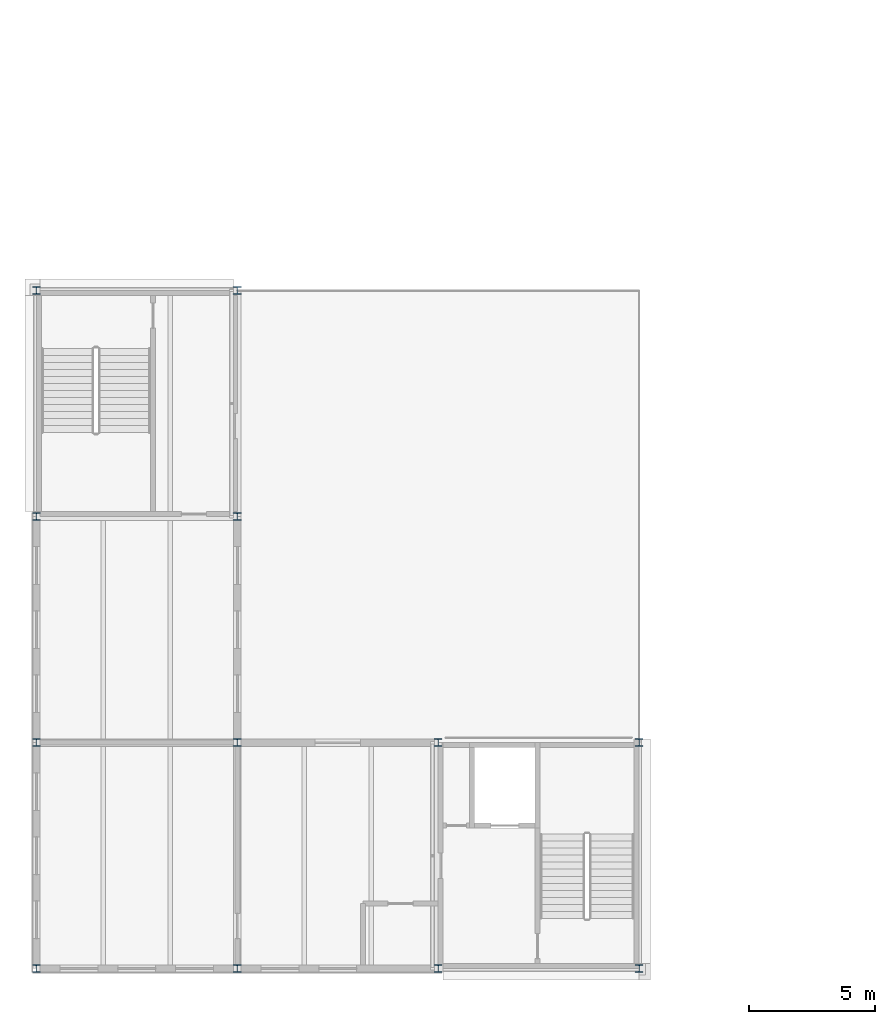
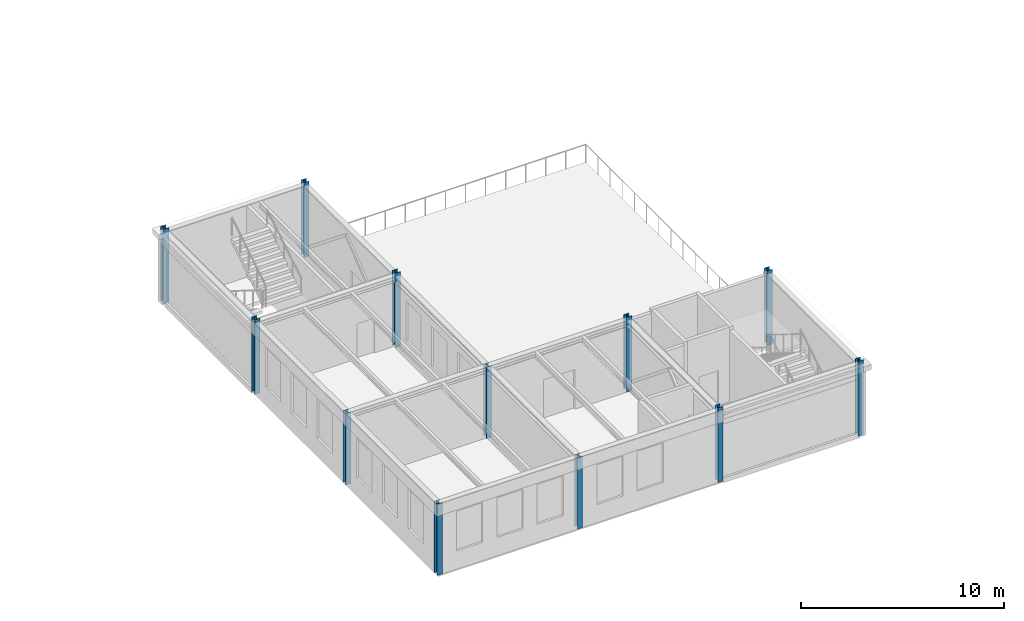
# One storey, part 1 of 149: 12 columns.
"""IFC4 building model written with IfcOpenShell, lengths in metres."""

import ifcopenshell
import ifcopenshell.guid

model = None  # the IFC model being written
_history = None  # IfcOwnerHistory: only IFC2X3 demands one
_inside = {}  # id of a spatial element -> (the spatial element, [elements in it])
_under = {}  # id of a project, library or spatial element -> (it, [spatial elements below it])
_declared = {}  # id of a project -> (the project, [libraries it declares])
_typed = {}  # id of a type object -> (the type object, [elements of that type])
_made_of = {}  # id of a material, layer set ... -> (it, [elements and type objects made of it])


def new_model(schema):
    """Start an empty IFC model of exactly this schema.

    Asked for "IFC4X3", IfcOpenShell would pick the latest addendum, in which some entities
    have other attributes; the version numbers below select the first issue.
    IFC2X3 requires an IfcOwnerHistory on every rooted entity: one is made here for all.
    """
    global model, _history
    if schema == "IFC4X3":
        model = ifcopenshell.file(schema_version=(4, 3, 0, 0))
    else:
        model = ifcopenshell.file(schema=schema)
    _inside.clear()
    _under.clear()
    _declared.clear()
    _typed.clear()
    _made_of.clear()
    _history = None
    if model.schema == "IFC2X3":
        org = make("IfcOrganization", Name="unknown")
        user = make(
            "IfcPersonAndOrganization",
            ThePerson=make("IfcPerson", FamilyName="unknown"),
            TheOrganization=org,
        )
        app = make(
            "IfcApplication",
            ApplicationDeveloper=org,
            Version="unknown",
            ApplicationFullName="unknown",
            ApplicationIdentifier="unknown",
        )
        _history = make(
            "IfcOwnerHistory",
            OwningUser=user,
            OwningApplication=app,
            ChangeAction="ADDED",
            CreationDate=0,
        )
    return model


def make(cls, **values):
    """One entity of the class cls with the attributes given. An attribute that is None is left unset."""
    return model.create_entity(
        cls, **{name: value for name, value in values.items() if value is not None}
    )


def rooted(cls, **values):
    """An entity with a GlobalId (a new one), such as an element, a storey or a relation."""
    return make(cls, GlobalId=ifcopenshell.guid.new(), OwnerHistory=_history, **values)


def si_unit(unit_type, name, prefix=None):
    """IfcSIUnit, for example si_unit("LENGTHUNIT", "METRE", prefix="MILLI")."""
    return make("IfcSIUnit", UnitType=unit_type, Prefix=prefix, Name=name)


def assignment(units):
    """IfcUnitAssignment: the units of a project."""
    return None if units is None else make("IfcUnitAssignment", Units=units)


def point(xyz):
    """IfcCartesianPoint."""
    return None if xyz is None else make("IfcCartesianPoint", Coordinates=xyz)


def direction(xyz):
    """IfcDirection."""
    return None if xyz is None else make("IfcDirection", DirectionRatios=xyz)


def frame(location, z_axis=None, x_axis=None):
    """IfcAxis2Placement3D, a coordinate frame: its origin and axes. An axis left out is left unset."""
    return make(
        "IfcAxis2Placement3D",
        Location=point(location),
        Axis=direction(z_axis),
        RefDirection=direction(x_axis),
    )


def frame_2d(location, x_axis=None):
    """IfcAxis2Placement2D, a coordinate frame in the plane: its origin and x axis."""
    return make(
        "IfcAxis2Placement2D", Location=point(location), RefDirection=direction(x_axis)
    )


def origin():
    """The frame at (0, 0, 0) with its axes left unset."""
    return frame((0.0, 0.0, 0.0))


def origin_2d():
    """The frame at (0, 0) in the plane with its x axis left unset."""
    return frame_2d((0.0, 0.0))


def place(relative_to, where):
    """IfcLocalPlacement: puts the frame where relative to a parent placement (None: the world)."""
    return make(
        "IfcLocalPlacement", PlacementRelTo=relative_to, RelativePlacement=where
    )


def context(
    kind, dimensions, precision=None, world=None, true_north=None, identifier=None
):
    """IfcGeometricRepresentationContext, for example the 3D "Model" context."""
    return make(
        "IfcGeometricRepresentationContext",
        ContextIdentifier=identifier,
        ContextType=kind,
        CoordinateSpaceDimension=dimensions,
        Precision=precision,
        WorldCoordinateSystem=world,
        TrueNorth=true_north,
    )


def subcontext(parent, identifier, kind, view, scale=None):
    """IfcGeometricRepresentationSubContext, for example "Body" below "Model"."""
    return make(
        "IfcGeometricRepresentationSubContext",
        ContextIdentifier=identifier,
        ContextType=kind,
        ParentContext=parent,
        TargetScale=scale,
        TargetView=view,
    )


def project(units=None, contexts=None):
    """IfcProject with its units and contexts."""
    return rooted(
        "IfcProject",
        Name="project",
        RepresentationContexts=contexts,
        UnitsInContext=assignment(units),
    )


def spatial(cls, under=None, at=None, **own):
    """A site, building, storey or space (cls), placed at a placement, below another one or the project."""
    s = rooted(cls, ObjectPlacement=at, **own)
    if under is not None:
        _under.setdefault(under.id(), (under, []))[1].append(s)
    return s


def profile(cls, at=None, kind="AREA", **sizes):
    """A parametric profile (cls). Its sizes go by their IFC names, for example OverallWidth=200.0."""
    return make(cls, ProfileType=kind, Position=at, **sizes)


def i_section(**sizes):
    """IfcIShapeProfileDef."""
    return profile("IfcIShapeProfileDef", **sizes)


def extrude(swept, where, along, depth):
    """IfcExtrudedAreaSolid: the profile swept, set in the frame where, extruded along a direction by depth."""
    return make(
        "IfcExtrudedAreaSolid",
        SweptArea=swept,
        Position=where,
        ExtrudedDirection=direction(along),
        Depth=depth,
    )


def shape(context_of_items, identifier, shape_type, items):
    """IfcShapeRepresentation: the items that make up one representation, for example the "Body"."""
    return make(
        "IfcShapeRepresentation",
        ContextOfItems=context_of_items,
        RepresentationIdentifier=identifier,
        RepresentationType=shape_type,
        Items=items,
    )


def material(Name=None, Category=None):
    """IfcMaterial."""
    return make("IfcMaterial", Name=Name, Category=Category)


def material_profile(
    of_material, cross_section, Name=None, Category=None, Priority=None
):
    """IfcMaterialProfile: a cross section and its material."""
    return make(
        "IfcMaterialProfile",
        Name=Name,
        Material=of_material,
        Profile=cross_section,
        Priority=Priority,
        Category=Category,
    )


def profile_set(profiles, Name=None, composite=None):
    """IfcMaterialProfileSet."""
    return make(
        "IfcMaterialProfileSet",
        Name=Name,
        MaterialProfiles=profiles,
        CompositeProfile=composite,
    )


def made_of(thing, what):
    """Note that an element or type object is made of a material, layer set ...; save() writes the relation."""
    if what is not None:
        _made_of.setdefault(what.id(), (what, []))[1].append(thing)
    return thing


def type_object(cls, material=None, **own):
    """A type object (cls), such as IfcWallType, which elements share."""
    return made_of(rooted(cls, **own), material)


def element(
    cls,
    number,
    at=None,
    inside=None,
    cuts=None,
    type_object=None,
    material=None,
    context=None,
    identifier="Body",
    shape_type=None,
    held_by="IfcProductDefinitionShape",
    body=None,
    shapes=None,
    **own,
):
    """One element of the class cls, such as IfcWall. Its Tag is "e" and its number.

    at: its placement. inside: the storey or other place that contains it. cuts: it is an
    opening in that element (IfcRelVoidsElement). A single representation is given by context,
    identifier, shape_type and body (its items); several are given by shapes. held_by: the class
    of the entity that holds the representations. save() writes the other relations.
    """
    e = rooted(cls, Tag="e%d" % number, ObjectPlacement=at, **own)
    if body is not None:
        shapes = [shape(context, identifier, shape_type, body)]
    if shapes is not None:
        e.Representation = make(held_by, Representations=shapes)
    if inside is not None:
        _inside.setdefault(inside.id(), (inside, []))[1].append(e)
    if cuts is not None:
        rooted(
            "IfcRelVoidsElement", RelatingBuildingElement=cuts, RelatedOpeningElement=e
        )
    if type_object is not None:
        _typed.setdefault(type_object.id(), (type_object, []))[1].append(e)
    return made_of(e, material)


def aggregate(whole, parts):
    """IfcRelAggregates: a whole, such as a stair, and the parts it consists of."""
    return rooted("IfcRelAggregates", RelatingObject=whole, RelatedObjects=parts)


def save(model, path):
    """Write the relations noted so far, then the file.

    IfcRelAggregates (storeys below a building ...), IfcRelContainedInSpatialStructure (elements
    in a storey), IfcRelDefinesByType, IfcRelAssociatesMaterial and IfcRelDeclares: one each for
    every whole, place, type object, material and project.
    """
    for whole, parts in _under.values():
        aggregate(whole, parts)
    for where, things in _inside.values():
        rooted(
            "IfcRelContainedInSpatialStructure",
            RelatedElements=things,
            RelatingStructure=where,
        )
    for kind, things in _typed.values():
        rooted("IfcRelDefinesByType", RelatedObjects=things, RelatingType=kind)
    for what, things in _made_of.values():
        rooted("IfcRelAssociatesMaterial", RelatedObjects=things, RelatingMaterial=what)
    for by, libraries in _declared.values():
        rooted("IfcRelDeclares", RelatingContext=by, RelatedDefinitions=libraries)
    model.write(path)


model = new_model("IFC4")

# Units and contexts
model_context = context("Model", 3, precision=1e-05, world=origin(), true_north=direction((0.0, 1.0)))
body_context = subcontext(model_context, "Body", "Model", "MODEL_VIEW")
ifc_project = project(units=[si_unit("LENGTHUNIT", "METRE"), si_unit("AREAUNIT", "SQUARE_METRE"), si_unit("VOLUMEUNIT", "CUBIC_METRE"), si_unit("PLANEANGLEUNIT", "RADIAN"), si_unit("MASSUNIT", "GRAM", prefix="KILO")], contexts=[model_context])

# Site, building, storey
site_placement = place(None, origin())
site = spatial("IfcSite", under=ifc_project, at=site_placement, CompositionType="ELEMENT")
building_placement = place(site_placement, origin())
building = spatial("IfcBuilding", under=site, at=building_placement, Name="Kallimachos Central Library", CompositionType="ELEMENT")
storey_placement = place(building_placement, frame((0.0, 0.0, 9.89990234375)))
storey = spatial("IfcBuildingStorey", under=building, at=storey_placement, Name="L02", CompositionType="ELEMENT", Elevation=9.89990234375)

# Columns
ifc_material = material(Name="Steel S355J2", Category="steel")
ifc_material_profile = material_profile(ifc_material, i_section(OverallWidth=0.300048828125, OverallDepth=0.300048828125, WebThickness=0.010986328125, FlangeThickness=0.01904296875, FilletRadius=0.027099609375, at=origin_2d()), Name="HEB 300")
ifc_profile_set = profile_set([ifc_material_profile], Name="Steel S355J2")
column_type = type_object("IfcColumnType", Name="HEB 300 column", PredefinedType="COLUMN", material=ifc_profile_set)
for number, where, z_axis, x_axis, name in (
    (1, (6.0, 9.0, 0.0), (0.0, 0.0, 1.0), (1.0, 0.0, 0.0), "V6-COL-L02-001"),
    (2, (6.0, 18.0, 0.0), (0.0, 0.0, 1.0), (1.0, 0.0, 0.0), "V6-COL-L02-002"),
):
    element("IfcColumn", number, at=place(storey_placement, frame(where, z_axis=z_axis, x_axis=x_axis)), inside=storey, type_object=column_type, Name=name, PredefinedType="COLUMN", context=body_context, shape_type="SweptSolid", body=[
        extrude(i_section(OverallWidth=0.300048828125, OverallDepth=0.300048828125, WebThickness=0.010986328125, FlangeThickness=0.01904296875, FilletRadius=0.027099609375, at=origin_2d()), origin(), (0.0, 0.0, 1.0), 4.300048828125),
    ])
for number, where, z_axis, x_axis, name in (
    (3, (6.0, 27.0, 0.0), (0.0, 0.0, 1.0), (1.0, 0.0, 0.0), "V6-COL-L02-003"),
    (4, (6.0, 36.0, 0.0), (0.0, 0.0, 1.0), (1.0, 0.0, 0.0), "V6-COL-L02-004"),
):
    element("IfcColumn", number, at=place(storey_placement, frame(where, z_axis=z_axis, x_axis=x_axis)), inside=storey, type_object=column_type, Name=name, PredefinedType="COLUMN", context=body_context, shape_type="SweptSolid", body=[
        extrude(i_section(OverallWidth=0.300048828125, OverallDepth=0.300048828125, WebThickness=0.010986328125, FlangeThickness=0.01904296875, FilletRadius=0.027099609375, at=origin_2d()), origin(), (0.0, 0.0, 1.0), 4.5),
    ])
for number, where, z_axis, x_axis, name in (
    (5, (14.0, 9.0, 0.0), (0.0, 0.0, 1.0), (1.0, 0.0, 0.0), "V6-COL-L02-005"),
    (6, (14.0, 18.0, 0.0), (0.0, 0.0, 1.0), (1.0, 0.0, 0.0), "V6-COL-L02-006"),
):
    element("IfcColumn", number, at=place(storey_placement, frame(where, z_axis=z_axis, x_axis=x_axis)), inside=storey, type_object=column_type, Name=name, PredefinedType="COLUMN", context=body_context, shape_type="SweptSolid", body=[
        extrude(i_section(OverallWidth=0.300048828125, OverallDepth=0.300048828125, WebThickness=0.010986328125, FlangeThickness=0.01904296875, FilletRadius=0.027099609375, at=origin_2d()), origin(), (0.0, 0.0, 1.0), 4.300048828125),
    ])
for number, where, z_axis, x_axis, name in (
    (7, (14.0, 27.0, 0.0), (0.0, 0.0, 1.0), (1.0, 0.0, 0.0), "V6-COL-L02-007"),
    (8, (14.0, 36.0, 0.0), (0.0, 0.0, 1.0), (1.0, 0.0, 0.0), "V6-COL-L02-008"),
    (9, (22.0, 9.0, 0.0), (0.0, 0.0, 1.0), (1.0, 0.0, 0.0), "V6-COL-L02-009"),
    (10, (22.0, 18.0, 0.0), (0.0, 0.0, 1.0), (1.0, 0.0, 0.0), "V6-COL-L02-010"),
    (11, (30.0, 9.0, 0.0), (0.0, 0.0, 1.0), (1.0, 0.0, 0.0), "V6-COL-L02-011"),
    (12, (30.0, 18.0, 0.0), (0.0, 0.0, 1.0), (1.0, 0.0, 0.0), "V6-COL-L02-012"),
):
    element("IfcColumn", number, at=place(storey_placement, frame(where, z_axis=z_axis, x_axis=x_axis)), inside=storey, type_object=column_type, Name=name, PredefinedType="COLUMN", context=body_context, shape_type="SweptSolid", body=[
        extrude(i_section(OverallWidth=0.300048828125, OverallDepth=0.300048828125, WebThickness=0.010986328125, FlangeThickness=0.01904296875, FilletRadius=0.027099609375, at=origin_2d()), origin(), (0.0, 0.0, 1.0), 4.5),
    ])

save(model, "model.ifc")
